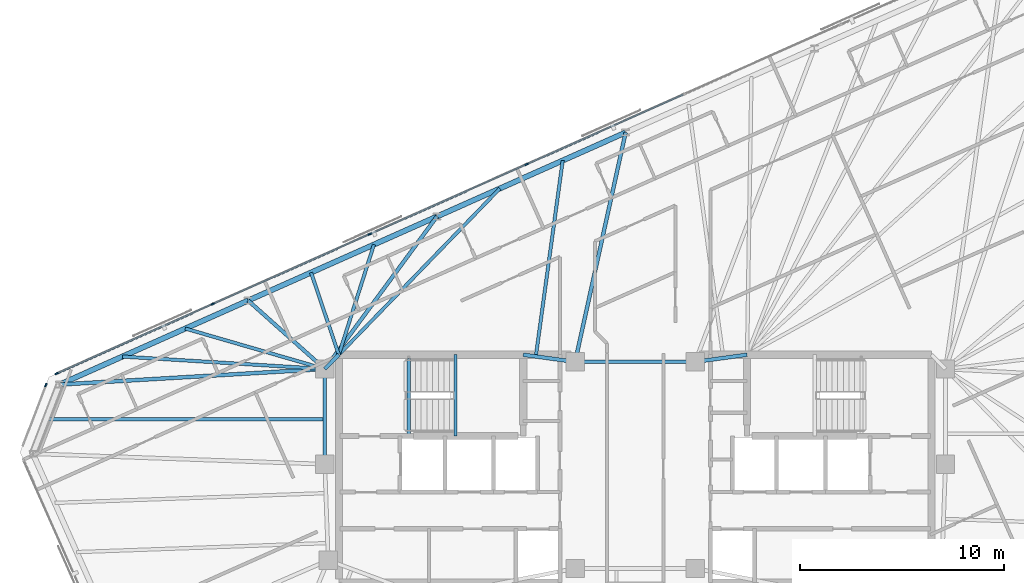
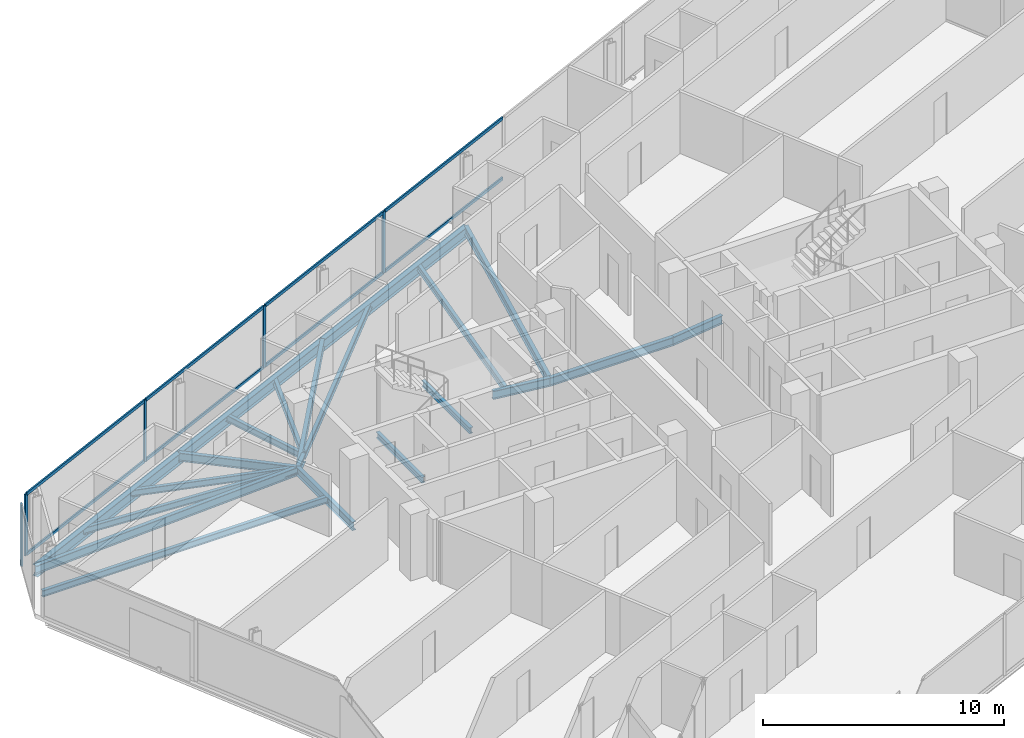
# One storey, part 9 of 19: 21 beams, 13 members, 2 elements without a shape of their own.
"""IFC4 building model written with IfcOpenShell, lengths in metres."""

import ifcopenshell
import ifcopenshell.guid

model = None  # the IFC model being written
_history = None  # IfcOwnerHistory: only IFC2X3 demands one
_inside = {}  # id of a spatial element -> (the spatial element, [elements in it])
_under = {}  # id of a project, library or spatial element -> (it, [spatial elements below it])
_declared = {}  # id of a project -> (the project, [libraries it declares])
_typed = {}  # id of a type object -> (the type object, [elements of that type])
_made_of = {}  # id of a material, layer set ... -> (it, [elements and type objects made of it])


def new_model(schema):
    """Start an empty IFC model of exactly this schema.

    Asked for "IFC4X3", IfcOpenShell would pick the latest addendum, in which some entities
    have other attributes; the version numbers below select the first issue.
    IFC2X3 requires an IfcOwnerHistory on every rooted entity: one is made here for all.
    """
    global model, _history
    if schema == "IFC4X3":
        model = ifcopenshell.file(schema_version=(4, 3, 0, 0))
    else:
        model = ifcopenshell.file(schema=schema)
    _inside.clear()
    _under.clear()
    _declared.clear()
    _typed.clear()
    _made_of.clear()
    _history = None
    if model.schema == "IFC2X3":
        org = make("IfcOrganization", Name="unknown")
        user = make(
            "IfcPersonAndOrganization",
            ThePerson=make("IfcPerson", FamilyName="unknown"),
            TheOrganization=org,
        )
        app = make(
            "IfcApplication",
            ApplicationDeveloper=org,
            Version="unknown",
            ApplicationFullName="unknown",
            ApplicationIdentifier="unknown",
        )
        _history = make(
            "IfcOwnerHistory",
            OwningUser=user,
            OwningApplication=app,
            ChangeAction="ADDED",
            CreationDate=0,
        )
    return model


def make(cls, **values):
    """One entity of the class cls with the attributes given. An attribute that is None is left unset."""
    return model.create_entity(
        cls, **{name: value for name, value in values.items() if value is not None}
    )


def rooted(cls, **values):
    """An entity with a GlobalId (a new one), such as an element, a storey or a relation."""
    return make(cls, GlobalId=ifcopenshell.guid.new(), OwnerHistory=_history, **values)


def si_unit(unit_type, name, prefix=None):
    """IfcSIUnit, for example si_unit("LENGTHUNIT", "METRE", prefix="MILLI")."""
    return make("IfcSIUnit", UnitType=unit_type, Prefix=prefix, Name=name)


def assignment(units):
    """IfcUnitAssignment: the units of a project."""
    return None if units is None else make("IfcUnitAssignment", Units=units)


def point(xyz):
    """IfcCartesianPoint."""
    return None if xyz is None else make("IfcCartesianPoint", Coordinates=xyz)


def direction(xyz):
    """IfcDirection."""
    return None if xyz is None else make("IfcDirection", DirectionRatios=xyz)


def frame(location, z_axis=None, x_axis=None):
    """IfcAxis2Placement3D, a coordinate frame: its origin and axes. An axis left out is left unset."""
    return make(
        "IfcAxis2Placement3D",
        Location=point(location),
        Axis=direction(z_axis),
        RefDirection=direction(x_axis),
    )


def frame_2d(location, x_axis=None):
    """IfcAxis2Placement2D, a coordinate frame in the plane: its origin and x axis."""
    return make(
        "IfcAxis2Placement2D", Location=point(location), RefDirection=direction(x_axis)
    )


def origin():
    """The frame at (0, 0, 0) with its axes left unset."""
    return frame((0.0, 0.0, 0.0))


def origin_2d():
    """The frame at (0, 0) in the plane with its x axis left unset."""
    return frame_2d((0.0, 0.0))


def place(relative_to, where):
    """IfcLocalPlacement: puts the frame where relative to a parent placement (None: the world)."""
    return make(
        "IfcLocalPlacement", PlacementRelTo=relative_to, RelativePlacement=where
    )


def context(
    kind, dimensions, precision=None, world=None, true_north=None, identifier=None
):
    """IfcGeometricRepresentationContext, for example the 3D "Model" context."""
    return make(
        "IfcGeometricRepresentationContext",
        ContextIdentifier=identifier,
        ContextType=kind,
        CoordinateSpaceDimension=dimensions,
        Precision=precision,
        WorldCoordinateSystem=world,
        TrueNorth=true_north,
    )


def subcontext(parent, identifier, kind, view, scale=None):
    """IfcGeometricRepresentationSubContext, for example "Body" below "Model"."""
    return make(
        "IfcGeometricRepresentationSubContext",
        ContextIdentifier=identifier,
        ContextType=kind,
        ParentContext=parent,
        TargetScale=scale,
        TargetView=view,
    )


def project(units=None, contexts=None):
    """IfcProject with its units and contexts."""
    return rooted(
        "IfcProject",
        Name="project",
        RepresentationContexts=contexts,
        UnitsInContext=assignment(units),
    )


def spatial(cls, under=None, at=None, **own):
    """A site, building, storey or space (cls), placed at a placement, below another one or the project."""
    s = rooted(cls, ObjectPlacement=at, **own)
    if under is not None:
        _under.setdefault(under.id(), (under, []))[1].append(s)
    return s


def profile(cls, at=None, kind="AREA", **sizes):
    """A parametric profile (cls). Its sizes go by their IFC names, for example OverallWidth=200.0."""
    return make(cls, ProfileType=kind, Position=at, **sizes)


def rectangle(**sizes):
    """IfcRectangleProfileDef."""
    return profile("IfcRectangleProfileDef", **sizes)


def i_section(**sizes):
    """IfcIShapeProfileDef."""
    return profile("IfcIShapeProfileDef", **sizes)


def extrude(swept, where, along, depth):
    """IfcExtrudedAreaSolid: the profile swept, set in the frame where, extruded along a direction by depth."""
    return make(
        "IfcExtrudedAreaSolid",
        SweptArea=swept,
        Position=where,
        ExtrudedDirection=direction(along),
        Depth=depth,
    )


def shape(context_of_items, identifier, shape_type, items):
    """IfcShapeRepresentation: the items that make up one representation, for example the "Body"."""
    return make(
        "IfcShapeRepresentation",
        ContextOfItems=context_of_items,
        RepresentationIdentifier=identifier,
        RepresentationType=shape_type,
        Items=items,
    )


def material(Name=None, Category=None):
    """IfcMaterial."""
    return make("IfcMaterial", Name=Name, Category=Category)


def material_profile(
    of_material, cross_section, Name=None, Category=None, Priority=None
):
    """IfcMaterialProfile: a cross section and its material."""
    return make(
        "IfcMaterialProfile",
        Name=Name,
        Material=of_material,
        Profile=cross_section,
        Priority=Priority,
        Category=Category,
    )


def profile_set(profiles, Name=None, composite=None):
    """IfcMaterialProfileSet."""
    return make(
        "IfcMaterialProfileSet",
        Name=Name,
        MaterialProfiles=profiles,
        CompositeProfile=composite,
    )


def made_of(thing, what):
    """Note that an element or type object is made of a material, layer set ...; save() writes the relation."""
    if what is not None:
        _made_of.setdefault(what.id(), (what, []))[1].append(thing)
    return thing


def type_object(cls, material=None, **own):
    """A type object (cls), such as IfcWallType, which elements share."""
    return made_of(rooted(cls, **own), material)


def element(
    cls,
    number,
    at=None,
    inside=None,
    cuts=None,
    type_object=None,
    material=None,
    context=None,
    identifier="Body",
    shape_type=None,
    held_by="IfcProductDefinitionShape",
    body=None,
    shapes=None,
    **own,
):
    """One element of the class cls, such as IfcWall. Its Tag is "e" and its number.

    at: its placement. inside: the storey or other place that contains it. cuts: it is an
    opening in that element (IfcRelVoidsElement). A single representation is given by context,
    identifier, shape_type and body (its items); several are given by shapes. held_by: the class
    of the entity that holds the representations. save() writes the other relations.
    """
    e = rooted(cls, Tag="e%d" % number, ObjectPlacement=at, **own)
    if body is not None:
        shapes = [shape(context, identifier, shape_type, body)]
    if shapes is not None:
        e.Representation = make(held_by, Representations=shapes)
    if inside is not None:
        _inside.setdefault(inside.id(), (inside, []))[1].append(e)
    if cuts is not None:
        rooted(
            "IfcRelVoidsElement", RelatingBuildingElement=cuts, RelatedOpeningElement=e
        )
    if type_object is not None:
        _typed.setdefault(type_object.id(), (type_object, []))[1].append(e)
    return made_of(e, material)


def aggregate(whole, parts):
    """IfcRelAggregates: a whole, such as a stair, and the parts it consists of."""
    return rooted("IfcRelAggregates", RelatingObject=whole, RelatedObjects=parts)


def save(model, path):
    """Write the relations noted so far, then the file.

    IfcRelAggregates (storeys below a building ...), IfcRelContainedInSpatialStructure (elements
    in a storey), IfcRelDefinesByType, IfcRelAssociatesMaterial and IfcRelDeclares: one each for
    every whole, place, type object, material and project.
    """
    for whole, parts in _under.values():
        aggregate(whole, parts)
    for where, things in _inside.values():
        rooted(
            "IfcRelContainedInSpatialStructure",
            RelatedElements=things,
            RelatingStructure=where,
        )
    for kind, things in _typed.values():
        rooted("IfcRelDefinesByType", RelatedObjects=things, RelatingType=kind)
    for what, things in _made_of.values():
        rooted("IfcRelAssociatesMaterial", RelatedObjects=things, RelatingMaterial=what)
    for by, libraries in _declared.values():
        rooted("IfcRelDeclares", RelatingContext=by, RelatedDefinitions=libraries)
    model.write(path)


model = new_model("IFC4")

# Units and contexts
model_context = context("Model", 3, precision=1e-05, world=origin(), true_north=direction((0.0, 1.0)))
body_context = subcontext(model_context, "Body", "Model", "MODEL_VIEW")
ifc_project = project(units=[si_unit("LENGTHUNIT", "METRE"), si_unit("AREAUNIT", "SQUARE_METRE"), si_unit("VOLUMEUNIT", "CUBIC_METRE"), si_unit("PLANEANGLEUNIT", "RADIAN"), si_unit("MASSUNIT", "GRAM", prefix="KILO")], contexts=[model_context])

# Site, building, storey
site_placement = place(None, origin())
site = spatial("IfcSite", under=ifc_project, at=site_placement, CompositionType="ELEMENT")
building_placement = place(site_placement, origin())
building = spatial("IfcBuilding", under=site, at=building_placement, Name="Menara Jurai Vektor", CompositionType="ELEMENT")
storey_placement = place(building_placement, frame((0.0, 0.0, 265.550048828125)))
storey = spatial("IfcBuildingStorey", under=building, at=storey_placement, Name="L71", CompositionType="ELEMENT", Elevation=265.550048828125)

# Curtain wall, members
ifc_material_1 = material(Name="Anodised Pale Aluminium & Low-E Double Glazing", Category="aluminium")
curtain_wall_type = type_object("IfcCurtainWallType", Name="CW-BLK5", PredefinedType="NOTDEFINED", material=ifc_material_1)
curtain_wall_1_placement = place(storey_placement, origin())
curtain_wall_1 = element("IfcCurtainWall", 1, at=curtain_wall_1_placement, inside=storey, type_object=curtain_wall_type, Name="Unitised Curtain Wall L71 F05", PredefinedType="NOTDEFINED")
ifc_material_2 = material(Name="Anodised Pale Aluminium Mullion", Category="aluminium")
ifc_material_profile_1 = material_profile(ifc_material_2, rectangle(XDim=0.074951171875, YDim=0.175048828125, at=origin_2d()), Name="ALU MUL 75x175")
ifc_profile_set_1 = profile_set([ifc_material_profile_1], Name="Anodised Pale Aluminium Mullion")
member_type_1 = type_object("IfcMemberType", Name="CW-BLK5-MUL", PredefinedType="MULLION", material=ifc_profile_set_1)
member_1_placement = place(storey_placement, frame((-5.327880859375, 14.957275390625, 0.0), z_axis=(0.0, 0.0, 1.0), x_axis=(0.406735498684, -0.913545967158, 0.0)))
member_1 = element("IfcMember", 2, at=member_1_placement, type_object=member_type_1, Name="CW-05 mullion 4", PredefinedType="MULLION", context=body_context, shape_type="SweptSolid", body=[
    extrude(rectangle(XDim=0.074951171875, YDim=0.175048828125, at=origin_2d()), origin(), (0.0, 0.0, 1.0), 3.125),
])
member_2_placement = place(storey_placement, frame((-13.038330078125, 11.5244140625, 0.0), z_axis=(0.0, 0.0, 1.0), x_axis=(0.406735498684, -0.913545967158, 0.0)))
member_2 = element("IfcMember", 3, at=member_2_placement, type_object=member_type_1, Name="CW-05 mullion 5", PredefinedType="MULLION", context=body_context, shape_type="SweptSolid", body=[
    extrude(rectangle(XDim=0.074951171875, YDim=0.175048828125, at=origin_2d()), origin(), (0.0, 0.0, 1.0), 3.125),
])
member_3_placement = place(storey_placement, frame((-20.748779296875, 8.091552734375, 0.0), z_axis=(0.0, 0.0, 1.0), x_axis=(0.406735498684, -0.913545967158, 0.0)))
member_3 = element("IfcMember", 4, at=member_3_placement, type_object=member_type_1, Name="CW-05 mullion 6", PredefinedType="MULLION", context=body_context, shape_type="SweptSolid", body=[
    extrude(rectangle(XDim=0.074951171875, YDim=0.175048828125, at=origin_2d()), origin(), (0.0, 0.0, 1.0), 3.125),
])
member_4_placement = place(storey_placement, frame((-28.4248046875, 4.674072265625, 0.0), z_axis=(0.0, 0.0, 1.0), x_axis=(0.406735498684, -0.913545967158, 0.0)))
member_4 = element("IfcMember", 5, at=member_4_placement, type_object=member_type_1, Name="CW-05 mullion 7", PredefinedType="MULLION", context=body_context, shape_type="SweptSolid", body=[
    extrude(rectangle(XDim=0.074951171875, YDim=0.175048828125, at=origin_2d()), origin(), (0.0, 0.0, 1.0), 3.125),
])

# Curtain wall, member
curtain_wall_2_placement = place(storey_placement, origin())
curtain_wall_2 = element("IfcCurtainWall", 6, at=curtain_wall_2_placement, inside=storey, type_object=curtain_wall_type, Name="Unitised Curtain Wall L71 F06", PredefinedType="NOTDEFINED")
member_5_placement = place(storey_placement, frame((-28.955810546875, 4.114501953125, 0.0), z_axis=(0.0, 0.0, 1.0), x_axis=(0.933578193639, -0.358373766287, 0.0)))
member_5 = element("IfcMember", 7, at=member_5_placement, type_object=member_type_1, Name="CW-05 mullion 1", PredefinedType="MULLION", context=body_context, shape_type="SweptSolid", body=[
    extrude(rectangle(XDim=0.074951171875, YDim=0.175048828125, at=origin_2d()), origin(), (0.0, 0.0, 1.0), 3.125),
])
aggregate(curtain_wall_2, [member_5])

# Member
ifc_material_3 = material(Name="Anodised Pale Aluminium Transom", Category="aluminium")
ifc_material_profile_2 = material_profile(ifc_material_3, rectangle(XDim=0.074951171875, YDim=0.155029296875, at=origin_2d()), Name="ALU TRN 75x155")
ifc_profile_set_2 = profile_set([ifc_material_profile_2], Name="Anodised Pale Aluminium Transom")
member_type_2 = type_object("IfcMemberType", Name="CW-BLK5-TRN", PredefinedType="USERDEFINED", material=ifc_profile_set_2)
member_6_placement = place(storey_placement, frame((2.34814453125, 18.375, 0.037353515625), z_axis=(-0.913546575494, -0.406734132331, 0.0), x_axis=(0.406734132331, -0.913546575494, 0.0)))
member_6 = element("IfcMember", 8, at=member_6_placement, type_object=member_type_2, Name="CW-05 transom 3.1", ObjectType="TRANSOM", PredefinedType="USERDEFINED", context=body_context, shape_type="SweptSolid", body=[
    extrude(rectangle(XDim=0.074951171875, YDim=0.155029296875, at=origin_2d()), origin(), (0.0, 0.0, 1.0), 8.364990234375),
])

member_7_placement = place(storey_placement, frame((2.34814453125, 18.375, 3.08740234375), z_axis=(-0.913546575494, -0.406734132331, 0.0), x_axis=(0.406734132331, -0.913546575494, 0.0)))
member_7 = element("IfcMember", 9, at=member_7_placement, type_object=member_type_2, Name="CW-05 transom 3.2", ObjectType="TRANSOM", PredefinedType="USERDEFINED", context=body_context, shape_type="SweptSolid", body=[
    extrude(rectangle(XDim=0.074951171875, YDim=0.155029296875, at=origin_2d()), origin(), (0.0, 0.0, 1.0), 8.364990234375),
])

member_8_placement = place(storey_placement, frame((-5.3623046875, 14.942138671875, 0.037353515625), z_axis=(-0.913546575494, -0.406734132331, 0.0), x_axis=(0.406734132331, -0.913546575494, 0.0)))
member_8 = element("IfcMember", 10, at=member_8_placement, type_object=member_type_2, Name="CW-05 transom 4.1", ObjectType="TRANSOM", PredefinedType="USERDEFINED", context=body_context, shape_type="SweptSolid", body=[
    extrude(rectangle(XDim=0.074951171875, YDim=0.155029296875, at=origin_2d()), origin(), (0.0, 0.0, 1.0), 8.364990234375),
])

member_9_placement = place(storey_placement, frame((-5.3623046875, 14.942138671875, 3.08740234375), z_axis=(-0.913546575494, -0.406734132331, 0.0), x_axis=(0.406734132331, -0.913546575494, 0.0)))
member_9 = element("IfcMember", 11, at=member_9_placement, type_object=member_type_2, Name="CW-05 transom 4.2", ObjectType="TRANSOM", PredefinedType="USERDEFINED", context=body_context, shape_type="SweptSolid", body=[
    extrude(rectangle(XDim=0.074951171875, YDim=0.155029296875, at=origin_2d()), origin(), (0.0, 0.0, 1.0), 8.364990234375),
])

member_10_placement = place(storey_placement, frame((-13.072509765625, 11.50927734375, 0.037353515625), z_axis=(-0.913546575494, -0.406734132331, 0.0), x_axis=(0.406734132331, -0.913546575494, 0.0)))
member_10 = element("IfcMember", 12, at=member_10_placement, type_object=member_type_2, Name="CW-05 transom 5.1", ObjectType="TRANSOM", PredefinedType="USERDEFINED", context=body_context, shape_type="SweptSolid", body=[
    extrude(rectangle(XDim=0.074951171875, YDim=0.155029296875, at=origin_2d()), origin(), (0.0, 0.0, 1.0), 8.364990234375),
])

member_11_placement = place(storey_placement, frame((-13.072509765625, 11.50927734375, 3.08740234375), z_axis=(-0.913546575494, -0.406734132331, 0.0), x_axis=(0.406734132331, -0.913546575494, 0.0)))
member_11 = element("IfcMember", 13, at=member_11_placement, type_object=member_type_2, Name="CW-05 transom 5.2", ObjectType="TRANSOM", PredefinedType="USERDEFINED", context=body_context, shape_type="SweptSolid", body=[
    extrude(rectangle(XDim=0.074951171875, YDim=0.155029296875, at=origin_2d()), origin(), (0.0, 0.0, 1.0), 8.364990234375),
])

member_12_placement = place(storey_placement, frame((-20.782958984375, 8.076416015625, 0.037353515625), z_axis=(-0.91353811338, -0.406753138159, 0.0), x_axis=(0.406753138159, -0.91353811338, 0.0)))
member_12 = element("IfcMember", 14, at=member_12_placement, type_object=member_type_2, Name="CW-05 transom 6.1", ObjectType="TRANSOM", PredefinedType="USERDEFINED", context=body_context, shape_type="SweptSolid", body=[
    extrude(rectangle(XDim=0.074951171875, YDim=0.155029296875, at=origin_2d()), origin(), (0.0, 0.0, 1.0), 8.327392578125),
])

member_13_placement = place(storey_placement, frame((-20.782958984375, 8.076416015625, 3.08740234375), z_axis=(-0.91353811338, -0.406753138159, 0.0), x_axis=(0.406753138159, -0.91353811338, 0.0)))
member_13 = element("IfcMember", 15, at=member_13_placement, type_object=member_type_2, Name="CW-05 transom 6.2", ObjectType="TRANSOM", PredefinedType="USERDEFINED", context=body_context, shape_type="SweptSolid", body=[
    extrude(rectangle(XDim=0.074951171875, YDim=0.155029296875, at=origin_2d()), origin(), (0.0, 0.0, 1.0), 8.327392578125),
])

aggregate(curtain_wall_1, [member_1, member_2, member_3, member_4, member_6, member_7, member_8, member_9, member_10, member_11, member_12, member_13])

# Beams
ifc_material_4 = material(Name="Steel S355", Category="steel")
ifc_material_profile_3 = material_profile(ifc_material_4, i_section(OverallWidth=0.18505859375, OverallDepth=0.429931640625, WebThickness=0.010986328125, FlangeThickness=0.01806640625, at=origin_2d()), Name="PG 430x185x76")
ifc_profile_set_3 = profile_set([ifc_material_profile_3], Name="Steel S355")
beam_type_1 = type_object("IfcBeamType", Name="STR-BM-430", PredefinedType="BEAM", material=ifc_profile_set_3)
beam_1_placement = place(storey_placement, frame((-15.25, 4.89990234375, -0.43994140625), z_axis=(0.701871936926, 0.712303154672, 0.0), x_axis=(-0.712303154672, 0.701871936926, 0.0)))
element("IfcBeam", 16, at=beam_1_placement, inside=storey, type_object=beam_type_1, Name="Core Ring Header Girder L71-CHW-N1", PredefinedType="BEAM", context=body_context, shape_type="SweptSolid", body=[
    extrude(i_section(OverallWidth=0.18505859375, OverallDepth=0.429931640625, WebThickness=0.010986328125, FlangeThickness=0.01806640625, at=origin_2d()), origin(), (0.0, 0.0, 1.0), 0.98291015625),
])
beam_2_placement = place(storey_placement, frame((-5.5, 5.60009765625, -0.43994140625), z_axis=(0.990706818608, -0.136014703483, 0.0), x_axis=(0.136014703483, 0.990706818608, 0.0)))
element("IfcBeam", 17, at=beam_2_placement, inside=storey, type_object=beam_type_1, Name="Core Ring Header Girder L71-CHW-N2", PredefinedType="BEAM", context=body_context, shape_type="SweptSolid", body=[
    extrude(i_section(OverallWidth=0.18505859375, OverallDepth=0.429931640625, WebThickness=0.010986328125, FlangeThickness=0.01806640625, at=origin_2d()), origin(), (0.0, 0.0, 1.0), 2.573974609375),
])
beam_3_placement = place(storey_placement, frame((-15.25, 0.219970703125, -0.43994140625), z_axis=(0.0, 1.0, 0.0), x_axis=(-1.0, 0.0, 0.0)))
element("IfcBeam", 18, at=beam_3_placement, inside=storey, type_object=beam_type_1, Name="Core Ring Header Girder L71-CHW-W1", PredefinedType="BEAM", context=body_context, shape_type="SweptSolid", body=[
    extrude(i_section(OverallWidth=0.18505859375, OverallDepth=0.429931640625, WebThickness=0.010986328125, FlangeThickness=0.01806640625, at=origin_2d()), origin(), (0.0, 0.0, 1.0), 4.679931640625),
])
beam_4_placement = place(storey_placement, frame((2.949951171875, 5.25, -0.43994140625), z_axis=(0.990706818608, 0.136014703483, 0.0), x_axis=(-0.136014703483, 0.990706818608, 0.0)))
element("IfcBeam", 19, at=beam_4_placement, inside=storey, type_object=beam_type_1, Name="Core Ring Header Girder L71-CHE-N1", PredefinedType="BEAM", context=body_context, shape_type="SweptSolid", body=[
    extrude(i_section(OverallWidth=0.18505859375, OverallDepth=0.429931640625, WebThickness=0.010986328125, FlangeThickness=0.01806640625, at=origin_2d()), origin(), (0.0, 0.0, 1.0), 2.573974609375),
])
beam_5_placement = place(storey_placement, frame((-2.949951171875, 5.25, -0.43994140625), z_axis=(1.0, 0.0, 0.0), x_axis=(0.0, 1.0, 0.0)))
element("IfcBeam", 20, at=beam_5_placement, inside=storey, type_object=beam_type_1, Name="Core Ring Header Girder L71-CC-2", PredefinedType="BEAM", context=body_context, shape_type="SweptSolid", body=[
    extrude(i_section(OverallWidth=0.18505859375, OverallDepth=0.429931640625, WebThickness=0.010986328125, FlangeThickness=0.01806640625, at=origin_2d()), origin(), (0.0, 0.0, 1.0), 5.89990234375),
])
beam_6_placement = place(storey_placement, frame((-0.467529296875, 16.519287109375, -0.43994140625), z_axis=(-0.215124522255, -0.976586626943, 0.0), x_axis=(0.976586626943, -0.215124522255, 0.0)))
element("IfcBeam", 21, at=beam_6_placement, inside=storey, type_object=beam_type_1, Name="Radial Floor Girder L71-N3", PredefinedType="BEAM", context=body_context, shape_type="SweptSolid", body=[
    extrude(i_section(OverallWidth=0.18505859375, OverallDepth=0.429931640625, WebThickness=0.010986328125, FlangeThickness=0.01806640625, at=origin_2d()), origin(), (0.0, 0.0, 1.0), 11.53955078125),
])
beam_7_placement = place(storey_placement, frame((-9.740966796875, 12.390380859375, -0.43994140625), z_axis=(-0.592483178081, -0.805582822366, 0.0), x_axis=(0.805582822366, -0.592483178081, 0.0)))
element("IfcBeam", 22, at=beam_7_placement, inside=storey, type_object=beam_type_1, Name="Radial Floor Girder L71-N4", PredefinedType="BEAM", context=body_context, shape_type="SweptSolid", body=[
    extrude(i_section(OverallWidth=0.18505859375, OverallDepth=0.429931640625, WebThickness=0.010986328125, FlangeThickness=0.01806640625, at=origin_2d()), origin(), (0.0, 0.0, 1.0), 9.298095703125),
])
beam_8_placement = place(storey_placement, frame((-19.0146484375, 8.26171875, -0.43994140625), z_axis=(0.745886163995, -0.666073442167, 0.0), x_axis=(0.666073442167, 0.745886163995, 0.0)))
element("IfcBeam", 23, at=beam_8_placement, inside=storey, type_object=beam_type_1, Name="Radial Floor Girder L71-N5", PredefinedType="BEAM", context=body_context, shape_type="SweptSolid", body=[
    extrude(i_section(OverallWidth=0.18505859375, OverallDepth=0.429931640625, WebThickness=0.010986328125, FlangeThickness=0.01806640625, at=origin_2d()), origin(), (0.0, 0.0, 1.0), 5.047119140625),
])
beam_9_placement = place(storey_placement, frame((-28.2880859375, 4.1328125, -0.43994140625), z_axis=(0.998273728533, 0.058732979834, 0.0), x_axis=(-0.058732979834, 0.998273728533, 0.0)))
element("IfcBeam", 24, at=beam_9_placement, inside=storey, type_object=beam_type_1, Name="Radial Floor Girder L71-N6", PredefinedType="BEAM", context=body_context, shape_type="SweptSolid", body=[
    extrude(i_section(OverallWidth=0.18505859375, OverallDepth=0.429931640625, WebThickness=0.010986328125, FlangeThickness=0.01806640625, at=origin_2d()), origin(), (0.0, 0.0, 1.0), 13.060546875),
])
ifc_material_profile_4 = material_profile(ifc_material_4, i_section(OverallWidth=0.1650390625, OverallDepth=0.330078125, WebThickness=0.009033203125, FlangeThickness=0.013916015625, at=origin_2d()), Name="PG 330x165x46")
ifc_profile_set_4 = profile_set([ifc_material_profile_4], Name="Steel S355")
beam_type_2 = type_object("IfcBeamType", Name="STR-JS-330", PredefinedType="JOIST", material=ifc_profile_set_4)
beam_10_placement = place(storey_placement, frame((-3.55859375, 15.14306640625, -0.39013671875), z_axis=(-0.135981954601, -0.990711314169, 0.0), x_axis=(0.990711314169, -0.135981954601, 0.0)))
element("IfcBeam", 25, at=beam_10_placement, inside=storey, type_object=beam_type_2, Name="Radial Secondary Floor Joist L71-JS19", PredefinedType="JOIST", context=body_context, shape_type="SweptSolid", body=[
    extrude(i_section(OverallWidth=0.1650390625, OverallDepth=0.330078125, WebThickness=0.009033203125, FlangeThickness=0.013916015625, at=origin_2d()), origin(), (0.0, 0.0, 1.0), 9.718505859375),
])
beam_11_placement = place(storey_placement, frame((-6.64990234375, 13.766845703125, -0.39013671875), z_axis=(-0.695732556791, -0.718300918433, 0.0), x_axis=(0.718300918433, -0.695732556791, 0.0)))
element("IfcBeam", 26, at=beam_11_placement, inside=storey, type_object=beam_type_2, Name="Radial Secondary Floor Joist L71-JS20", PredefinedType="JOIST", context=body_context, shape_type="SweptSolid", body=[
    extrude(i_section(OverallWidth=0.1650390625, OverallDepth=0.330078125, WebThickness=0.009033203125, FlangeThickness=0.013916015625, at=origin_2d()), origin(), (0.0, 0.0, 1.0), 11.36962890625),
])
beam_12_placement = place(storey_placement, frame((-12.832275390625, 11.01416015625, -0.39013671875), z_axis=(-0.304022753529, -0.952664770702, 0.0), x_axis=(0.952664770702, -0.304022753529, 0.0)))
element("IfcBeam", 27, at=beam_12_placement, inside=storey, type_object=beam_type_2, Name="Radial Secondary Floor Joist L71-JS21", PredefinedType="JOIST", context=body_context, shape_type="SweptSolid", body=[
    extrude(i_section(OverallWidth=0.1650390625, OverallDepth=0.330078125, WebThickness=0.009033203125, FlangeThickness=0.013916015625, at=origin_2d()), origin(), (0.0, 0.0, 1.0), 5.68310546875),
])
beam_13_placement = place(storey_placement, frame((-15.92333984375, 9.637939453125, -0.39013671875), z_axis=(0.319885998438, -0.947456040143, 0.0), x_axis=(0.947456040143, 0.319885998438, 0.0)))
element("IfcBeam", 28, at=beam_13_placement, inside=storey, type_object=beam_type_2, Name="Radial Secondary Floor Joist L71-JS22", PredefinedType="JOIST", context=body_context, shape_type="SweptSolid", body=[
    extrude(i_section(OverallWidth=0.1650390625, OverallDepth=0.330078125, WebThickness=0.009033203125, FlangeThickness=0.013916015625, at=origin_2d()), origin(), (0.0, 0.0, 1.0), 4.26171875),
])
beam_14_placement = place(storey_placement, frame((-22.105712890625, 6.885498046875, -0.39013671875), z_axis=(0.960525066064, -0.278193453306, 0.0), x_axis=(0.278193453306, 0.960525066064, 0.0)))
element("IfcBeam", 29, at=beam_14_placement, inside=storey, type_object=beam_type_2, Name="Radial Secondary Floor Joist L71-JS23", PredefinedType="JOIST", context=body_context, shape_type="SweptSolid", body=[
    extrude(i_section(OverallWidth=0.1650390625, OverallDepth=0.330078125, WebThickness=0.009033203125, FlangeThickness=0.013916015625, at=origin_2d()), origin(), (0.0, 0.0, 1.0), 7.137451171875),
])
beam_15_placement = place(storey_placement, frame((-25.197021484375, 5.509033203125, -0.39013671875), z_axis=(0.998130240593, -0.061123013776, 0.0), x_axis=(0.061123013776, 0.998130240593, 0.0)))
element("IfcBeam", 30, at=beam_15_placement, inside=storey, type_object=beam_type_2, Name="Radial Secondary Floor Joist L71-JS24", PredefinedType="JOIST", context=body_context, shape_type="SweptSolid", body=[
    extrude(i_section(OverallWidth=0.1650390625, OverallDepth=0.330078125, WebThickness=0.009033203125, FlangeThickness=0.013916015625, at=origin_2d()), origin(), (0.0, 0.0, 1.0), 9.965576171875),
])
beam_16_placement = place(storey_placement, frame((-28.93994140625, 2.434814453125, -0.39013671875), z_axis=(1.0, 0.0, 0.0), x_axis=(0.0, 1.0, 0.0)))
element("IfcBeam", 31, at=beam_16_placement, inside=storey, type_object=beam_type_2, Name="Radial Secondary Floor Joist L71-JS25", PredefinedType="JOIST", context=body_context, shape_type="SweptSolid", body=[
    extrude(i_section(OverallWidth=0.1650390625, OverallDepth=0.330078125, WebThickness=0.009033203125, FlangeThickness=0.013916015625, at=origin_2d()), origin(), (0.0, 0.0, 1.0), 13.68994140625),
])
ifc_material_profile_5 = material_profile(ifc_material_4, i_section(OverallWidth=0.1650390625, OverallDepth=0.302978515625, WebThickness=0.006103515625, FlangeThickness=0.010009765625, FilletRadius=0.009033203125, at=origin_2d()), Name="UKB 305x165x40")
ifc_profile_set_5 = profile_set([ifc_material_profile_5], Name="Steel S355")
beam_type_3 = type_object("IfcBeamType", Name="STR-LN-305", PredefinedType="LINTEL", material=ifc_profile_set_5)
beam_17_placement = place(storey_placement, frame((-11.1201171875, 1.60009765625, -0.37646484375), z_axis=(0.0, 1.0, 0.0), x_axis=(-1.0, 0.0, 0.0)))
element("IfcBeam", 32, at=beam_17_placement, inside=storey, type_object=beam_type_3, Name="Stair Well Floor Trimmer ST1 L71", PredefinedType="LINTEL", context=body_context, shape_type="SweptSolid", body=[
    extrude(i_section(OverallWidth=0.1650390625, OverallDepth=0.302978515625, WebThickness=0.006103515625, FlangeThickness=0.010009765625, FilletRadius=0.009033203125, at=origin_2d()), origin(), (0.0, 0.0, 1.0), 3.81982421875),
])
beam_18_placement = place(storey_placement, frame((-8.830078125, 1.60009765625, 1.323486328125), z_axis=(0.0, 1.0, 0.0), x_axis=(-1.0, 0.0, 0.0)))
element("IfcBeam", 33, at=beam_18_placement, inside=storey, type_object=beam_type_3, Name="Stair Half-Landing Nosing Trimmer ST1-1 L71", PredefinedType="LINTEL", context=body_context, shape_type="SweptSolid", body=[
    extrude(i_section(OverallWidth=0.1650390625, OverallDepth=0.302978515625, WebThickness=0.006103515625, FlangeThickness=0.010009765625, FilletRadius=0.009033203125, at=origin_2d()), origin(), (0.0, 0.0, 1.0), 4.0),
])
ifc_material_profile_6 = material_profile(ifc_material_4, i_section(OverallWidth=0.260009765625, OverallDepth=0.570068359375, WebThickness=0.013916015625, FlangeThickness=0.02392578125, at=origin_2d()), Name="PG 570x260x145")
ifc_profile_set_6 = profile_set([ifc_material_profile_6], Name="Steel S355")
beam_type_4 = type_object("IfcBeamType", Name="STR-SP-570", PredefinedType="SPANDREL", material=ifc_profile_set_6)
for number, where, z_axis, x_axis, name in (
    (34, (-0.467529296875, 16.519287109375, -0.510009765625), (-0.913541582548, -0.406745346568, 0.0), (0.406745346568, -0.913541582548, 0.0), "Exoskeleton Spandrel Beam L71-13"),
    (35, (-9.740966796875, 12.390380859375, -0.510009765625), (-0.913554497648, -0.406716338284, 0.0), (0.406716338284, -0.913554497648, 0.0), "Exoskeleton Spandrel Beam L71-14"),
    (36, (-19.0146484375, 8.26171875, -0.510009765625), (-0.913541582548, -0.406745346568, 0.0), (0.406745346568, -0.913541582548, 0.0), "Exoskeleton Spandrel Beam L71-15"),
):
    element("IfcBeam", number, at=place(storey_placement, frame(where, z_axis=z_axis, x_axis=x_axis)), inside=storey, type_object=beam_type_4, Name=name, PredefinedType="SPANDREL", context=body_context, shape_type="SweptSolid", body=[
        extrude(i_section(OverallWidth=0.260009765625, OverallDepth=0.570068359375, WebThickness=0.013916015625, FlangeThickness=0.02392578125, at=origin_2d()), origin(), (0.0, 0.0, 1.0), 10.151123046875),
    ])

save(model, "model.ifc")
